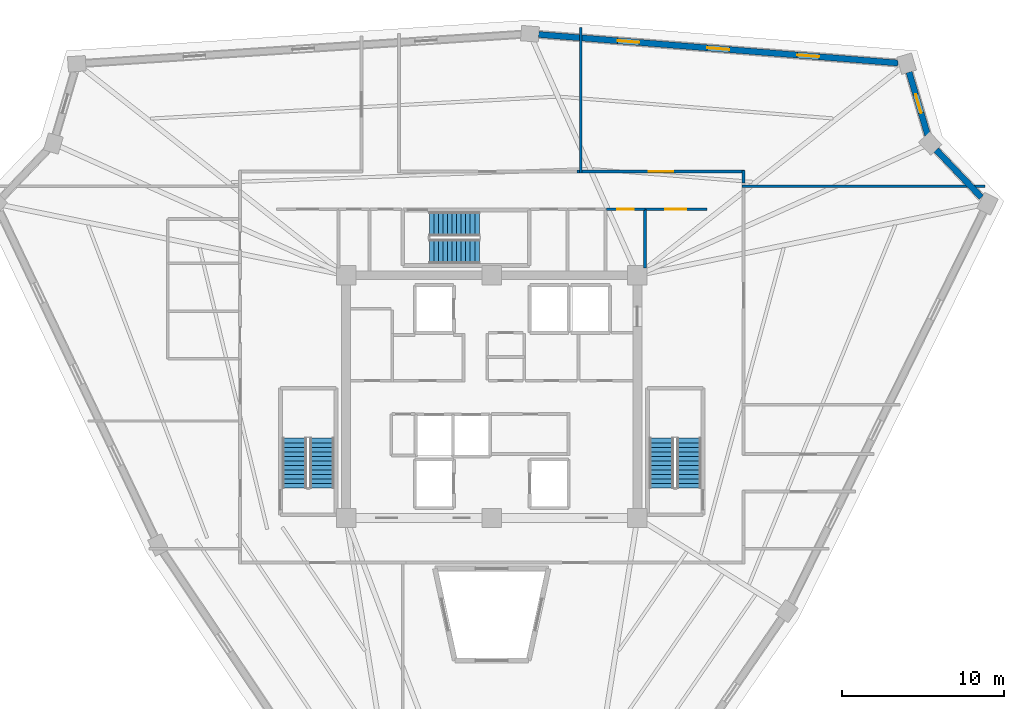
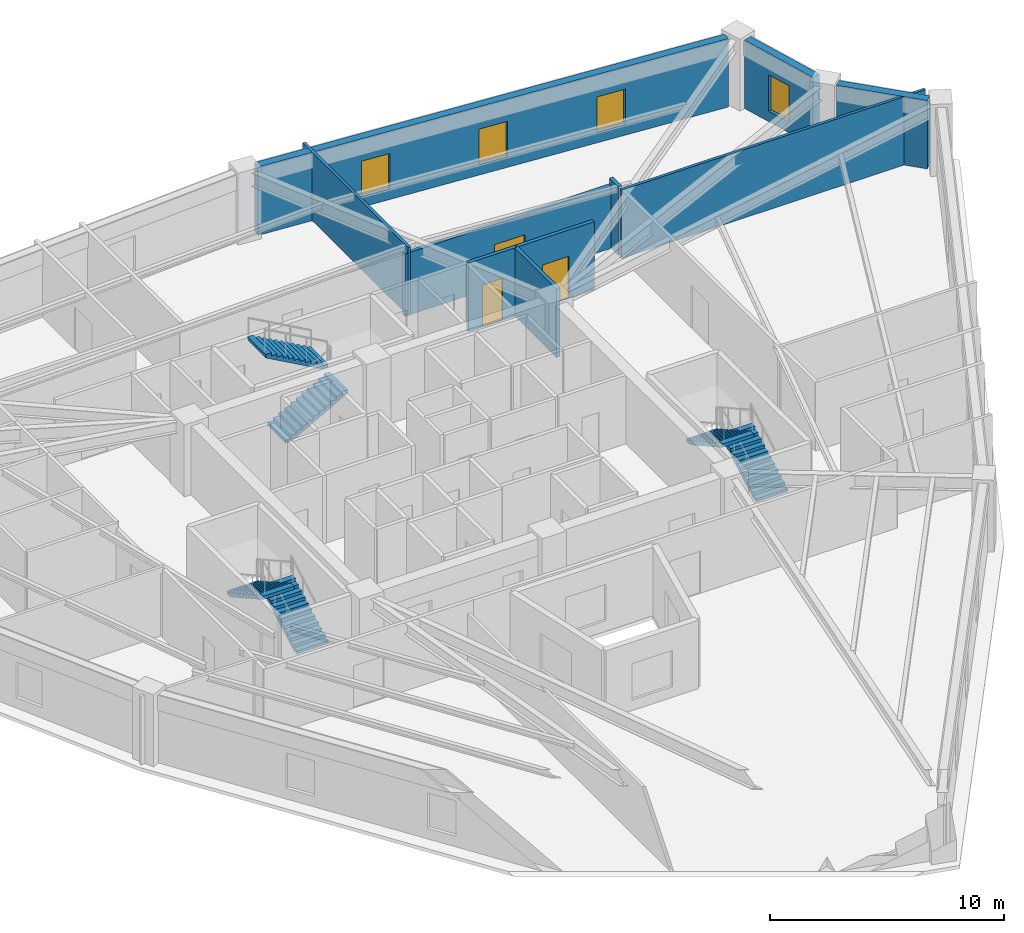
# One storey, part 7 of 8: 10 walls, 6 stair flights, 4 windows, 3 doors, 7 openings, 3 elements without a shape of their own.
"""IFC4 building model written with IfcOpenShell, lengths in metres."""

from ifc_helpers import new_model, si_unit, direction, frame, frame_2d, origin, place, context, subcontext, project, spatial, polyline, rectangle, outline, extrude, source, transform, mapped, material, layer, layer_set, type_object, element, fill, aggregate, save


model = new_model("IFC4")

# Units and contexts
model_context = context("Model", 3, precision=1e-05, world=origin(), true_north=direction((0.0, 1.0)))
body_context = subcontext(model_context, "Body", "Model", "MODEL_VIEW")
ifc_project = project(units=[si_unit("LENGTHUNIT", "METRE"), si_unit("AREAUNIT", "SQUARE_METRE"), si_unit("VOLUMEUNIT", "CUBIC_METRE"), si_unit("PLANEANGLEUNIT", "RADIAN"), si_unit("MASSUNIT", "GRAM", prefix="KILO")], contexts=[model_context])

# Site, building, storey
site_placement = place(None, origin())
site = spatial("IfcSite", under=ifc_project, at=site_placement, CompositionType="ELEMENT")
building_placement = place(site_placement, origin())
building = spatial("IfcBuilding", under=site, at=building_placement, Name="Liaohun Quay Tower", CompositionType="ELEMENT")
storey_placement = place(building_placement, frame((0.0, 0.0, 290.25)))
storey = spatial("IfcBuildingStorey", under=building, at=storey_placement, Name="L75", CompositionType="ELEMENT", Elevation=290.25)

# Wall
ifc_material_1 = material(Name="Precast concrete C50 insulated sandwich", Category="concrete")
ifc_layer_1 = layer(ifc_material_1, 0.3798828125, Name="Precast concrete C50 insulated sandwich", Category="concrete")
ifc_layer_set_1 = layer_set([ifc_layer_1], Name="Precast concrete C50 insulated sandwich")
wall_type_1 = type_object("IfcWallType", Name="WAL-EXT-Z34", PredefinedType="SOLIDWALL", material=ifc_layer_set_1)
wall_1_placement = place(storey_placement, frame((90.264892578125, 66.31396484375, 0.0), z_axis=(0.0, 0.0, 1.0), x_axis=(-0.689378640733, 0.724401193885, 0.0)))
element("IfcWall", 1, at=wall_1_placement, inside=storey, type_object=wall_type_1, Name="L75 Brutalist Precast Pier Wall 04", PredefinedType="SOLIDWALL", context=body_context, shape_type="SweptSolid", body=[
    extrude(rectangle(XDim=4.05712890625, YDim=0.3798828125, at=frame_2d((2.028564453125, 0.0))), origin(), (0.0, 0.0, 1.0), 3.570068359375),
])

# Wall, opening, window
wall_2_placement = place(storey_placement, frame((86.943115234375, 70.162109375, 0.0), z_axis=(0.0, 0.0, 1.0), x_axis=(-0.282780999882, 0.959184500555, 0.0)))
wall_2 = element("IfcWall", 2, at=wall_2_placement, inside=storey, type_object=wall_type_1, Name="L75 Brutalist Precast Pier Wall 05", PredefinedType="SOLIDWALL", context=body_context, shape_type="SweptSolid", body=[
    extrude(rectangle(XDim=4.063720703125, YDim=0.3798828125, at=frame_2d((2.03173828125, 0.0))), origin(), (0.0, 0.0, 1.0), 3.570068359375),
])
shared_shape_1 = source(origin(), body_context, "Body", "SweptSolid", [
    extrude(rectangle(XDim=1.199951171875, YDim=1.89990234375, at=frame_2d((0.60009765625, 0.949951171875))), frame((0.0, 0.199951171875, 0.0), z_axis=(0.0, -1.0, 0.0), x_axis=(1.0, 0.0, 0.0)), (0.0, 0.0, 1.0), 0.39990234375),
])
opening_1_placement = place(wall_2_placement, frame((1.431884765625, 0.0, 0.550048828125)))
opening_1 = element("IfcOpeningElement", 3, at=opening_1_placement, cuts=wall_2, Name="Opening W05", PredefinedType="OPENING", context=body_context, shape_type="MappedRepresentation", body=[
    mapped(shared_shape_1, transform((0.0, 0.0, 0.0), x_axis=(1.0, 0.0, 0.0), y_axis=(0.0, 1.0, 0.0), z_axis=(0.0, 0.0, 1.0), scale=1.0)),
])
ifc_material_2 = material(Name="Triple Low-E corner notch glazing", Category="glass")
window_type_1 = type_object("IfcWindowType", Name="WIN-NOTCH", PartitioningType="SINGLE_PANEL", PredefinedType="WINDOW", material=ifc_material_2)
shared_shape_2 = source(origin(), body_context, "Body", "SweptSolid", [
    extrude(rectangle(XDim=1.199951171875, YDim=1.89990234375, at=frame_2d((0.60009765625, 0.949951171875))), frame((0.0, 0.030029296875, 0.0), z_axis=(0.0, -1.0, 0.0), x_axis=(1.0, 0.0, 0.0)), (0.0, 0.0, 1.0), 0.06005859375),
])
window_1_placement = place(opening_1_placement, origin())
window_1 = element("IfcWindow", 4, at=window_1_placement, inside=storey, type_object=window_type_1, Name="L75 Corner Notch Window W05-05", OverallHeight=1.89990234375, OverallWidth=1.199951171875, PartitioningType="SINGLE_PANEL", PredefinedType="WINDOW", context=body_context, shape_type="MappedRepresentation", body=[
    mapped(shared_shape_2, transform((0.0, 0.0, 0.0), x_axis=(1.0, 0.0, 0.0), y_axis=(0.0, 1.0, 0.0), z_axis=(0.0, 0.0, 1.0), scale=1.0)),
])
fill(opening_1, window_1)

# Wall, openings, windows
wall_3_placement = place(storey_placement, frame((85.10302734375, 74.62109375, 0.0), z_axis=(0.0, 0.0, 1.0), x_axis=(-0.996863155658, 0.079144481122, 0.0)))
wall_3 = element("IfcWall", 5, at=wall_3_placement, inside=storey, type_object=wall_type_1, Name="L75 Brutalist Precast Pier Wall 06", PredefinedType="SOLIDWALL", context=body_context, shape_type="SweptSolid", body=[
    extrude(rectangle(XDim=22.27490234375, YDim=0.3798828125, at=frame_2d((11.137451171875, 0.0))), origin(), (0.0, 0.0, 1.0), 3.570068359375),
])
shared_shape_3 = source(origin(), body_context, "Body", "SweptSolid", [
    extrude(rectangle(XDim=1.35009765625, YDim=1.85009765625, at=frame_2d((0.675048828125, 0.925048828125))), frame((0.0, 0.199951171875, 0.0), z_axis=(0.0, -1.0, 0.0), x_axis=(1.0, 0.0, 0.0)), (0.0, 0.0, 1.0), 0.39990234375),
])
opening_2_placement = place(wall_3_placement, frame((4.89404296875, 0.0, 0.550048828125)))
opening_2 = element("IfcOpeningElement", 6, at=opening_2_placement, cuts=wall_3, Name="Opening W04", PredefinedType="OPENING", context=body_context, shape_type="MappedRepresentation", body=[
    mapped(shared_shape_3, transform((0.0, 0.0, 0.0), x_axis=(1.0, 0.0, 0.0), y_axis=(0.0, 1.0, 0.0), z_axis=(0.0, 0.0, 1.0), scale=1.0)),
])
opening_3_placement = place(wall_3_placement, frame((10.4619140625, 0.0, 0.550048828125)))
opening_3 = element("IfcOpeningElement", 7, at=opening_3_placement, cuts=wall_3, Name="Opening W04", PredefinedType="OPENING", context=body_context, shape_type="MappedRepresentation", body=[
    mapped(shared_shape_3, transform((0.0, 0.0, 0.0), x_axis=(1.0, 0.0, 0.0), y_axis=(0.0, 1.0, 0.0), z_axis=(0.0, 0.0, 1.0), scale=1.0)),
])
opening_4_placement = place(wall_3_placement, frame((16.031005859375, 0.0, 0.550048828125)))
opening_4 = element("IfcOpeningElement", 8, at=opening_4_placement, cuts=wall_3, Name="Opening W04", PredefinedType="OPENING", context=body_context, shape_type="MappedRepresentation", body=[
    mapped(shared_shape_3, transform((0.0, 0.0, 0.0), x_axis=(1.0, 0.0, 0.0), y_axis=(0.0, 1.0, 0.0), z_axis=(0.0, 0.0, 1.0), scale=1.0)),
])
ifc_material_3 = material(Name="Triple Low-E argon glazing in thermally broken aluminium", Category="aluminium")
window_type_2 = type_object("IfcWindowType", Name="WIN-PUN-Z4", PartitioningType="SINGLE_PANEL", PredefinedType="WINDOW", material=ifc_material_3)
shared_shape_4 = source(origin(), body_context, "Body", "SweptSolid", [
    extrude(rectangle(XDim=1.35009765625, YDim=1.85009765625, at=frame_2d((0.675048828125, 0.925048828125))), frame((0.0, 0.030029296875, 0.0), z_axis=(0.0, -1.0, 0.0), x_axis=(1.0, 0.0, 0.0)), (0.0, 0.0, 1.0), 0.06005859375),
])
window_2_placement = place(opening_2_placement, origin())
window_2 = element("IfcWindow", 9, at=window_2_placement, inside=storey, type_object=window_type_2, Name="L75 Recessed Cold-Climate Punched Window 06-1", OverallHeight=1.85009765625, OverallWidth=1.35009765625, PartitioningType="SINGLE_PANEL", PredefinedType="WINDOW", context=body_context, shape_type="MappedRepresentation", body=[
    mapped(shared_shape_4, transform((0.0, 0.0, 0.0), x_axis=(1.0, 0.0, 0.0), y_axis=(0.0, 1.0, 0.0), z_axis=(0.0, 0.0, 1.0), scale=1.0)),
])
fill(opening_2, window_2)
window_3_placement = place(opening_3_placement, origin())
window_3 = element("IfcWindow", 10, at=window_3_placement, inside=storey, type_object=window_type_2, Name="L75 Recessed Cold-Climate Punched Window 06-2", OverallHeight=1.85009765625, OverallWidth=1.35009765625, PartitioningType="SINGLE_PANEL", PredefinedType="WINDOW", context=body_context, shape_type="MappedRepresentation", body=[
    mapped(shared_shape_4, transform((0.0, 0.0, 0.0), x_axis=(1.0, 0.0, 0.0), y_axis=(0.0, 1.0, 0.0), z_axis=(0.0, 0.0, 1.0), scale=1.0)),
])
fill(opening_3, window_3)
window_4_placement = place(opening_4_placement, origin())
window_4 = element("IfcWindow", 11, at=window_4_placement, inside=storey, type_object=window_type_2, Name="L75 Recessed Cold-Climate Punched Window 06-3", OverallHeight=1.85009765625, OverallWidth=1.35009765625, PartitioningType="SINGLE_PANEL", PredefinedType="WINDOW", context=body_context, shape_type="MappedRepresentation", body=[
    mapped(shared_shape_4, transform((0.0, 0.0, 0.0), x_axis=(1.0, 0.0, 0.0), y_axis=(0.0, 1.0, 0.0), z_axis=(0.0, 0.0, 1.0), scale=1.0)),
])
fill(opening_4, window_4)

# Wall, opening, door
ifc_material_4 = material(Name="Autoclaved aerated concrete blockwork", Category="masonry")
ifc_layer_2 = layer(ifc_material_4, 0.179931640625, Name="Autoclaved aerated concrete blockwork", Category="masonry")
ifc_layer_set_2 = layer_set([ifc_layer_2], Name="Autoclaved aerated concrete blockwork")
wall_type_2 = type_object("IfcWallType", Name="WAL-PRT-COR", PredefinedType="PARTITIONING", material=ifc_layer_set_2)
wall_4_placement = place(storey_placement, frame((67.080078125, 65.580078125, 0.0), z_axis=(0.0, 0.0, 1.0), x_axis=(1.0, 0.0, 0.0)))
wall_4 = element("IfcWall", 12, at=wall_4_placement, inside=storey, type_object=wall_type_2, Name="L75 Interior Partition Wall 016", PredefinedType="PARTITIONING", context=body_context, shape_type="SweptSolid", body=[
    extrude(rectangle(XDim=2.3798828125, YDim=0.179931640625, at=frame_2d((1.18994140625, 0.0))), origin(), (0.0, 0.0, 1.0), 3.570068359375),
])
shared_shape_5 = source(origin(), body_context, "Body", "SweptSolid", [
    extrude(rectangle(XDim=1.0, YDim=2.199951171875, at=frame_2d((0.5, 1.10009765625))), frame((0.0, 0.099853515625, 0.0), z_axis=(0.0, -1.0, 0.0), x_axis=(1.0, 0.0, 0.0)), (0.0, 0.0, 1.0), 0.199951171875),
])
opening_5_placement = place(wall_4_placement, frame((0.68994140625, 0.0, 0.0)))
opening_5 = element("IfcOpeningElement", 13, at=opening_5_placement, cuts=wall_4, Name="Opening OD1", PredefinedType="OPENING", context=body_context, shape_type="MappedRepresentation", body=[
    mapped(shared_shape_5, transform((0.0, 0.0, 0.0), x_axis=(1.0, 0.0, 0.0), y_axis=(0.0, 1.0, 0.0), z_axis=(0.0, 0.0, 1.0), scale=1.0)),
])
ifc_material_5 = material(Name="Solid-core oak veneer timber leaf in steel frame", Category="steel")
door_type_1 = type_object("IfcDoorType", Name="DOR-OFF-1000", OperationType="NOTDEFINED", PredefinedType="DOOR", material=ifc_material_5)
shared_shape_6 = source(origin(), body_context, "Body", "SweptSolid", [
    extrude(rectangle(XDim=1.0, YDim=2.199951171875, at=frame_2d((0.5, 1.10009765625))), frame((0.0, 0.02490234375, 0.0), z_axis=(0.0, -1.0, 0.0), x_axis=(1.0, 0.0, 0.0)), (0.0, 0.0, 1.0), 0.050048828125),
])
door_1_placement = place(opening_5_placement, origin())
door_1 = element("IfcDoor", 14, at=door_1_placement, inside=storey, type_object=door_type_1, Name="L75 North-East Cleaner Store Door", OperationType="SINGLE_SWING_RIGHT", OverallHeight=2.199951171875, OverallWidth=1.0, PredefinedType="DOOR", context=body_context, shape_type="MappedRepresentation", body=[
    mapped(shared_shape_6, transform((0.0, 0.0, 0.0), x_axis=(1.0, 0.0, 0.0), y_axis=(0.0, 1.0, 0.0), z_axis=(0.0, 0.0, 1.0), scale=1.0)),
])
fill(opening_5, door_1)

wall_5_placement = place(storey_placement, frame((69.4599609375, 65.580078125, 0.0), z_axis=(0.0, 0.0, 1.0), x_axis=(1.0, 0.0, 0.0)))
wall_5 = element("IfcWall", 15, at=wall_5_placement, inside=storey, type_object=wall_type_2, Name="L75 Interior Partition Wall 018", PredefinedType="PARTITIONING", context=body_context, shape_type="SweptSolid", body=[
    extrude(rectangle(XDim=3.840087890625, YDim=0.179931640625, at=frame_2d((1.919921875, 0.0))), origin(), (0.0, 0.0, 1.0), 3.570068359375),
])
shared_shape_7 = source(origin(), body_context, "Body", "SweptSolid", [
    extrude(rectangle(XDim=1.300048828125, YDim=2.199951171875, at=frame_2d((0.64990234375, 1.10009765625))), frame((0.0, 0.099853515625, 0.0), z_axis=(0.0, -1.0, 0.0), x_axis=(1.0, 0.0, 0.0)), (0.0, 0.0, 1.0), 0.199951171875),
])
opening_6_placement = place(wall_5_placement, frame((1.27001953125, 0.0, 0.0)))
opening_6 = element("IfcOpeningElement", 16, at=opening_6_placement, cuts=wall_5, Name="Opening FD1", PredefinedType="OPENING", context=body_context, shape_type="MappedRepresentation", body=[
    mapped(shared_shape_7, transform((0.0, 0.0, 0.0), x_axis=(1.0, 0.0, 0.0), y_axis=(0.0, 1.0, 0.0), z_axis=(0.0, 0.0, 1.0), scale=1.0)),
])
ifc_material_6 = material(Name="Galvanised steel smokeproof fire door", Category="steel")
door_type_2 = type_object("IfcDoorType", Name="DOR-FFL-1300", OperationType="NOTDEFINED", PredefinedType="DOOR", material=ifc_material_6)
shared_shape_8 = source(origin(), body_context, "Body", "SweptSolid", [
    extrude(rectangle(XDim=1.300048828125, YDim=2.199951171875, at=frame_2d((0.64990234375, 1.10009765625))), frame((0.0, 0.02490234375, 0.0), z_axis=(0.0, -1.0, 0.0), x_axis=(1.0, 0.0, 0.0)), (0.0, 0.0, 1.0), 0.050048828125),
])
door_2_placement = place(opening_6_placement, origin())
door_2 = element("IfcDoor", 17, at=door_2_placement, inside=storey, type_object=door_type_2, Name="L75 East Core Vestibule Door", OperationType="SINGLE_SWING_RIGHT", OverallHeight=2.199951171875, OverallWidth=1.300048828125, PredefinedType="DOOR", context=body_context, shape_type="MappedRepresentation", body=[
    mapped(shared_shape_8, transform((0.0, 0.0, 0.0), x_axis=(1.0, 0.0, 0.0), y_axis=(0.0, 1.0, 0.0), z_axis=(0.0, 0.0, 1.0), scale=1.0)),
])
fill(opening_6, door_2)

wall_6_placement = place(storey_placement, frame((65.284912109375, 67.909912109375, 0.0), z_axis=(0.0, 0.0, 1.0), x_axis=(1.0, 0.0, 0.0)))
wall_6 = element("IfcWall", 18, at=wall_6_placement, inside=storey, type_object=wall_type_2, Name="L75 Interior Partition Wall 020", PredefinedType="PARTITIONING", context=body_context, shape_type="SweptSolid", body=[
    extrude(rectangle(XDim=10.344970703125, YDim=0.179931640625, at=frame_2d((5.17236328125, 0.0))), origin(), (0.0, 0.0, 1.0), 3.260986328125),
])
shared_shape_9 = source(origin(), body_context, "Body", "SweptSolid", [
    extrude(rectangle(XDim=1.5, YDim=2.199951171875, at=frame_2d((0.75, 1.10009765625))), frame((0.0, 0.099853515625, 0.0), z_axis=(0.0, -1.0, 0.0), x_axis=(1.0, 0.0, 0.0)), (0.0, 0.0, 1.0), 0.199951171875),
])
opening_7_placement = place(wall_6_placement, frame((4.422119140625, 0.0, 0.0)))
opening_7 = element("IfcOpeningElement", 19, at=opening_7_placement, cuts=wall_6, Name="Opening OD2", PredefinedType="OPENING", context=body_context, shape_type="MappedRepresentation", body=[
    mapped(shared_shape_9, transform((0.0, 0.0, 0.0), x_axis=(1.0, 0.0, 0.0), y_axis=(0.0, 1.0, 0.0), z_axis=(0.0, 0.0, 1.0), scale=1.0)),
])
ifc_material_7 = material(Name="Acoustic oak veneer double door")
door_type_3 = type_object("IfcDoorType", Name="DOR-OFF-1500", OperationType="DOUBLE_DOOR_SINGLE_SWING", PredefinedType="DOOR", material=ifc_material_7)
shared_shape_10 = source(origin(), body_context, "Body", "SweptSolid", [
    extrude(rectangle(XDim=1.5, YDim=2.199951171875, at=frame_2d((0.75, 1.10009765625))), frame((0.0, 0.02490234375, 0.0), z_axis=(0.0, -1.0, 0.0), x_axis=(1.0, 0.0, 0.0)), (0.0, 0.0, 1.0), 0.050048828125),
])
door_3_placement = place(opening_7_placement, origin())
door_3 = element("IfcDoor", 20, at=door_3_placement, inside=storey, type_object=door_type_3, Name="L75 Occupational Wellness Clinic 02 Door", OperationType="DOUBLE_DOOR_SINGLE_SWING", OverallHeight=2.199951171875, OverallWidth=1.5, PredefinedType="DOOR", context=body_context, shape_type="MappedRepresentation", body=[
    mapped(shared_shape_10, transform((0.0, 0.0, 0.0), x_axis=(1.0, 0.0, 0.0), y_axis=(0.0, 1.0, 0.0), z_axis=(0.0, 0.0, 1.0), scale=1.0)),
])
fill(opening_7, door_3)

# Walls
wall_7_placement = place(storey_placement, frame((69.4599609375, 61.949951171875, 0.0), z_axis=(0.0, 0.0, 1.0), x_axis=(0.0, 1.0, 0.0)))
element("IfcWall", 21, at=wall_7_placement, inside=storey, type_object=wall_type_2, Name="L75 Interior Partition Wall 045", PredefinedType="PARTITIONING", context=body_context, shape_type="SweptSolid", body=[
    extrude(rectangle(XDim=3.630126953125, YDim=0.179931640625, at=frame_2d((1.81494140625, 0.0))), origin(), (0.0, 0.0, 1.0), 3.570068359375),
])
wall_8_placement = place(storey_placement, frame((75.56005859375, 67.97998046875, 0.0), z_axis=(0.0, 0.0, 1.0), x_axis=(0.0, -1.0, 0.0)))
element("IfcWall", 22, at=wall_8_placement, inside=storey, type_object=wall_type_2, Name="L75 Interior Partition Wall 046", PredefinedType="PARTITIONING", context=body_context, shape_type="SweptSolid", body=[
    extrude(rectangle(XDim=0.764892578125, YDim=0.179931640625, at=frame_2d((0.38232421875, 0.0))), origin(), (0.0, 0.0, 1.0), 3.570068359375),
])
ifc_material_8 = material(Name="Gypsum board on twin steel studs", Category="steel")
ifc_layer_3 = layer(ifc_material_8, 0.139892578125, Name="Gypsum board on twin steel studs", Category="steel")
ifc_layer_set_3 = layer_set([ifc_layer_3], Name="Gypsum board on twin steel studs")
wall_type_3 = type_object("IfcWallType", Name="WAL-PRT-OFF", PredefinedType="PARTITIONING", material=ifc_layer_set_3)
wall_9_placement = place(storey_placement, frame((75.4599609375, 67.0, 0.0), z_axis=(0.0, 0.0, 1.0), x_axis=(1.0, 0.0, 0.0)))
element("IfcWall", 23, at=wall_9_placement, inside=storey, type_object=wall_type_3, Name="L75 Interior Partition Wall 060", PredefinedType="PARTITIONING", context=body_context, shape_type="SweptSolid", body=[
    extrude(rectangle(XDim=15.02099609375, YDim=0.139892578125, at=frame_2d((7.510498046875, 0.0))), origin(), (0.0, 0.0, 1.0), 3.570068359375),
])
wall_10_placement = place(storey_placement, frame((65.5, 67.81005859375, 0.0), z_axis=(0.0, 0.0, 1.0), x_axis=(0.0, 1.0, 0.0)))
element("IfcWall", 24, at=wall_10_placement, inside=storey, type_object=wall_type_3, Name="L75 Interior Partition Wall 061", PredefinedType="PARTITIONING", context=body_context, shape_type="SweptSolid", body=[
    extrude(rectangle(XDim=8.9990234375, YDim=0.139892578125, at=frame_2d((4.49951171875, 0.0))), origin(), (0.0, 0.0, 1.0), 3.570068359375),
])

# Stair, stair flights
ifc_material_9 = material(Name="Concrete C45", Category="concrete")
stair_type = type_object("IfcStairType", Name="STR-CORE-OFF", PredefinedType="HALF_TURN_STAIR", material=ifc_material_9)
stair_1_placement = place(storey_placement, origin())
stair_1 = element("IfcStair", 25, at=stair_1_placement, inside=storey, type_object=stair_type, Name="L75 Smokeproof Core Exit Stair ST-1", PredefinedType="HALF_TURN_STAIR")
stair_flight_type = type_object("IfcStairFlightType", Name="FLT-CORE-155", PredefinedType="STRAIGHT", material=ifc_material_9)
stair_flight_1_placement = place(storey_placement, frame((49.5048828125, 48.35009765625, 0.0), z_axis=(0.0, 0.0, 1.0), x_axis=(0.0, 1.0, 0.0)))
stair_flight_1 = element("IfcStairFlight", 26, at=stair_flight_1_placement, type_object=stair_flight_type, Name="ST-1 flight 1", NumberOfRisers=12, NumberOfTreads=11, PredefinedType="STRAIGHT", RiserHeight=0.15625, TreadLength=0.28, context=body_context, shape_type="SweptSolid", body=[
    extrude(outline(polyline([(0.0, 0.0), (0.0, 0.15625), (0.280029296875, 0.15625), (0.280029296875, 0.3125), (0.56005859375, 0.3125), (0.56005859375, 0.46875), (0.840087890625, 0.46875), (0.840087890625, 0.625), (1.1201171875, 0.625), (1.1201171875, 0.78125), (1.39990234375, 0.78125), (1.39990234375, 0.9375), (1.679931640625, 0.9375), (1.679931640625, 1.09375), (1.9599609375, 1.09375), (1.9599609375, 1.25), (2.239990234375, 1.25), (2.239990234375, 1.40625), (2.52001953125, 1.40625), (2.52001953125, 1.5625), (2.800048828125, 1.5625), (2.800048828125, 1.71875), (3.080078125, 1.71875), (3.080078125, 1.875), (3.080078125, 1.547119140625), (0.3076171875, 0.0), (0.0, 0.0)])), frame((0.0, 0.77490234375, 0.0), z_axis=(0.0, -1.0, 0.0), x_axis=(1.0, 0.0, 0.0)), (0.0, 0.0, 1.0), 1.550048828125),
])
stair_flight_2_placement = place(storey_placement, frame((47.81494140625, 51.429931640625, 1.875), z_axis=(0.0, 0.0, 1.0), x_axis=(0.0, -1.0, 0.0)))
stair_flight_2 = element("IfcStairFlight", 27, at=stair_flight_2_placement, type_object=stair_flight_type, Name="ST-1 flight 2", NumberOfRisers=12, NumberOfTreads=11, PredefinedType="STRAIGHT", RiserHeight=0.15625, TreadLength=0.28, context=body_context, shape_type="SweptSolid", body=[
    extrude(outline(polyline([(0.0, 0.0), (0.0, 0.15625), (0.280029296875, 0.15625), (0.280029296875, 0.3125), (0.56005859375, 0.3125), (0.56005859375, 0.46875), (0.840087890625, 0.46875), (0.840087890625, 0.625), (1.1201171875, 0.625), (1.1201171875, 0.78125), (1.39990234375, 0.78125), (1.39990234375, 0.9375), (1.679931640625, 0.9375), (1.679931640625, 1.09375), (1.9599609375, 1.09375), (1.9599609375, 1.25), (2.239990234375, 1.25), (2.239990234375, 1.40625), (2.52001953125, 1.40625), (2.52001953125, 1.5625), (2.800048828125, 1.5625), (2.800048828125, 1.71875), (3.080078125, 1.71875), (3.080078125, 1.875), (3.080078125, 1.547119140625), (0.3076171875, 0.0), (0.0, 0.0)])), frame((0.0, 0.77490234375, 0.0), z_axis=(0.0, -1.0, 0.0), x_axis=(1.0, 0.0, 0.0)), (0.0, 0.0, 1.0), 1.550048828125),
])
aggregate(stair_1, [stair_flight_1, stair_flight_2])

stair_2_placement = place(storey_placement, origin())
stair_2 = element("IfcStair", 28, at=stair_2_placement, inside=storey, type_object=stair_type, Name="L75 Smokeproof Core Exit Stair ST-2", PredefinedType="HALF_TURN_STAIR")
stair_flight_3_placement = place(storey_placement, frame((72.18505859375, 48.35009765625, 0.0), z_axis=(0.0, 0.0, 1.0), x_axis=(0.0, 1.0, 0.0)))
stair_flight_3 = element("IfcStairFlight", 29, at=stair_flight_3_placement, type_object=stair_flight_type, Name="ST-2 flight 1", NumberOfRisers=12, NumberOfTreads=11, PredefinedType="STRAIGHT", RiserHeight=0.15625, TreadLength=0.28, context=body_context, shape_type="SweptSolid", body=[
    extrude(outline(polyline([(0.0, 0.0), (0.0, 0.15625), (0.280029296875, 0.15625), (0.280029296875, 0.3125), (0.56005859375, 0.3125), (0.56005859375, 0.46875), (0.840087890625, 0.46875), (0.840087890625, 0.625), (1.1201171875, 0.625), (1.1201171875, 0.78125), (1.39990234375, 0.78125), (1.39990234375, 0.9375), (1.679931640625, 0.9375), (1.679931640625, 1.09375), (1.9599609375, 1.09375), (1.9599609375, 1.25), (2.239990234375, 1.25), (2.239990234375, 1.40625), (2.52001953125, 1.40625), (2.52001953125, 1.5625), (2.800048828125, 1.5625), (2.800048828125, 1.71875), (3.080078125, 1.71875), (3.080078125, 1.875), (3.080078125, 1.547119140625), (0.3076171875, 0.0), (0.0, 0.0)])), frame((0.0, 0.77490234375, 0.0), z_axis=(0.0, -1.0, 0.0), x_axis=(1.0, 0.0, 0.0)), (0.0, 0.0, 1.0), 1.550048828125),
])
stair_flight_4_placement = place(storey_placement, frame((70.4951171875, 51.429931640625, 1.875), z_axis=(0.0, 0.0, 1.0), x_axis=(0.0, -1.0, 0.0)))
stair_flight_4 = element("IfcStairFlight", 30, at=stair_flight_4_placement, type_object=stair_flight_type, Name="ST-2 flight 2", NumberOfRisers=12, NumberOfTreads=11, PredefinedType="STRAIGHT", RiserHeight=0.15625, TreadLength=0.28, context=body_context, shape_type="SweptSolid", body=[
    extrude(outline(polyline([(0.0, 0.0), (0.0, 0.15625), (0.280029296875, 0.15625), (0.280029296875, 0.3125), (0.56005859375, 0.3125), (0.56005859375, 0.46875), (0.840087890625, 0.46875), (0.840087890625, 0.625), (1.1201171875, 0.625), (1.1201171875, 0.78125), (1.39990234375, 0.78125), (1.39990234375, 0.9375), (1.679931640625, 0.9375), (1.679931640625, 1.09375), (1.9599609375, 1.09375), (1.9599609375, 1.25), (2.239990234375, 1.25), (2.239990234375, 1.40625), (2.52001953125, 1.40625), (2.52001953125, 1.5625), (2.800048828125, 1.5625), (2.800048828125, 1.71875), (3.080078125, 1.71875), (3.080078125, 1.875), (3.080078125, 1.547119140625), (0.3076171875, 0.0), (0.0, 0.0)])), frame((0.0, 0.77490234375, 0.0), z_axis=(0.0, -1.0, 0.0), x_axis=(1.0, 0.0, 0.0)), (0.0, 0.0, 1.0), 1.550048828125),
])
aggregate(stair_2, [stair_flight_3, stair_flight_4])

stair_3_placement = place(storey_placement, origin())
stair_3 = element("IfcStair", 31, at=stair_3_placement, inside=storey, type_object=stair_type, Name="L75 Smokeproof Core Exit Stair ST-3", PredefinedType="HALF_TURN_STAIR")
stair_flight_5_placement = place(storey_placement, frame((56.14990234375, 62.97509765625, 0.0), z_axis=(0.0, 0.0, 1.0), x_axis=(1.0, 0.0, 0.0)))
stair_flight_5 = element("IfcStairFlight", 32, at=stair_flight_5_placement, type_object=stair_flight_type, Name="ST-3 flight 1", NumberOfRisers=12, NumberOfTreads=11, PredefinedType="STRAIGHT", RiserHeight=0.15625, TreadLength=0.28, context=body_context, shape_type="SweptSolid", body=[
    extrude(outline(polyline([(0.0, 0.0), (0.0, 0.15625), (0.280029296875, 0.15625), (0.280029296875, 0.3125), (0.56005859375, 0.3125), (0.56005859375, 0.46875), (0.840087890625, 0.46875), (0.840087890625, 0.625), (1.1201171875, 0.625), (1.1201171875, 0.78125), (1.39990234375, 0.78125), (1.39990234375, 0.9375), (1.679931640625, 0.9375), (1.679931640625, 1.09375), (1.9599609375, 1.09375), (1.9599609375, 1.25), (2.239990234375, 1.25), (2.239990234375, 1.40625), (2.52001953125, 1.40625), (2.52001953125, 1.5625), (2.800048828125, 1.5625), (2.800048828125, 1.71875), (3.080078125, 1.71875), (3.080078125, 1.875), (3.080078125, 1.547119140625), (0.3076171875, 0.0), (0.0, 0.0)])), frame((0.0, 0.77490234375, 0.0), z_axis=(0.0, -1.0, 0.0), x_axis=(1.0, 0.0, 0.0)), (0.0, 0.0, 1.0), 1.550048828125),
])
stair_flight_6_placement = place(storey_placement, frame((59.22998046875, 64.6650390625, 1.875), z_axis=(0.0, 0.0, 1.0), x_axis=(-1.0, 0.0, 0.0)))
stair_flight_6 = element("IfcStairFlight", 33, at=stair_flight_6_placement, type_object=stair_flight_type, Name="ST-3 flight 2", NumberOfRisers=12, NumberOfTreads=11, PredefinedType="STRAIGHT", RiserHeight=0.15625, TreadLength=0.28, context=body_context, shape_type="SweptSolid", body=[
    extrude(outline(polyline([(0.0, 0.0), (0.0, 0.15625), (0.280029296875, 0.15625), (0.280029296875, 0.3125), (0.56005859375, 0.3125), (0.56005859375, 0.46875), (0.840087890625, 0.46875), (0.840087890625, 0.625), (1.1201171875, 0.625), (1.1201171875, 0.78125), (1.39990234375, 0.78125), (1.39990234375, 0.9375), (1.679931640625, 0.9375), (1.679931640625, 1.09375), (1.9599609375, 1.09375), (1.9599609375, 1.25), (2.239990234375, 1.25), (2.239990234375, 1.40625), (2.52001953125, 1.40625), (2.52001953125, 1.5625), (2.800048828125, 1.5625), (2.800048828125, 1.71875), (3.080078125, 1.71875), (3.080078125, 1.875), (3.080078125, 1.547119140625), (0.3076171875, 0.0), (0.0, 0.0)])), frame((0.0, 0.77490234375, 0.0), z_axis=(0.0, -1.0, 0.0), x_axis=(1.0, 0.0, 0.0)), (0.0, 0.0, 1.0), 1.550048828125),
])
aggregate(stair_3, [stair_flight_5, stair_flight_6])

save(model, "model.ifc")
